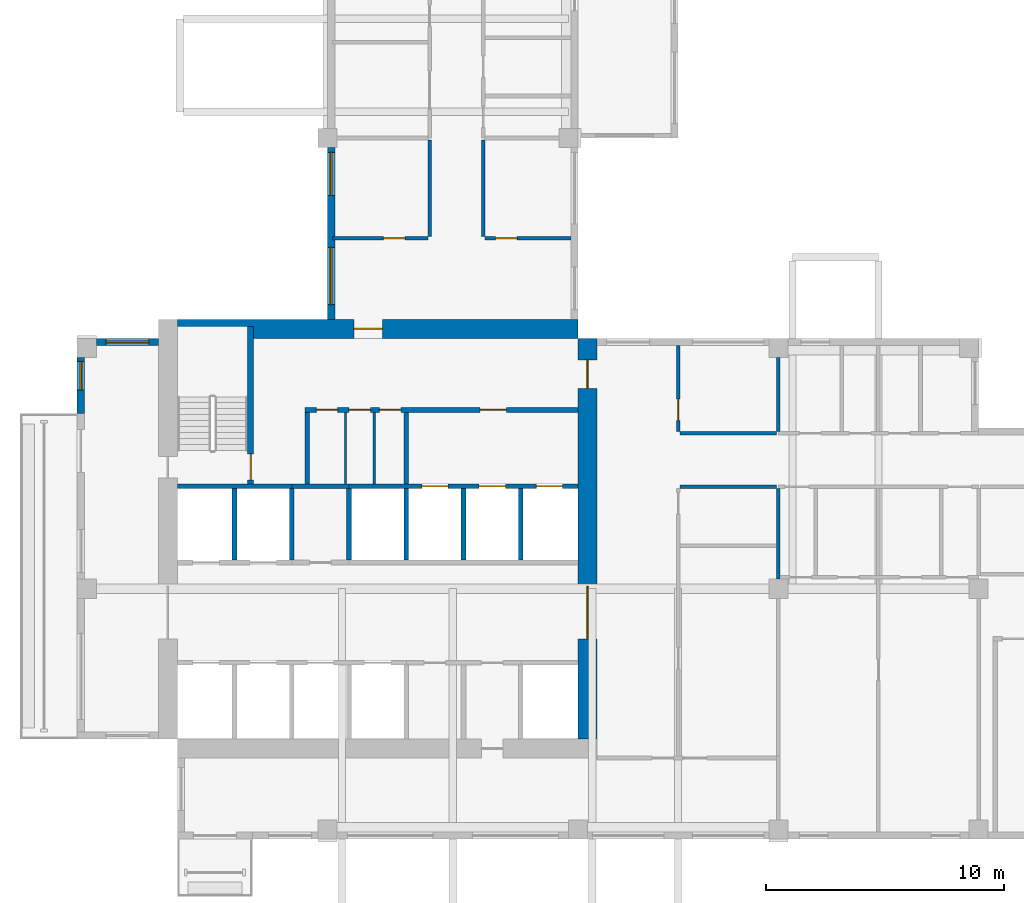
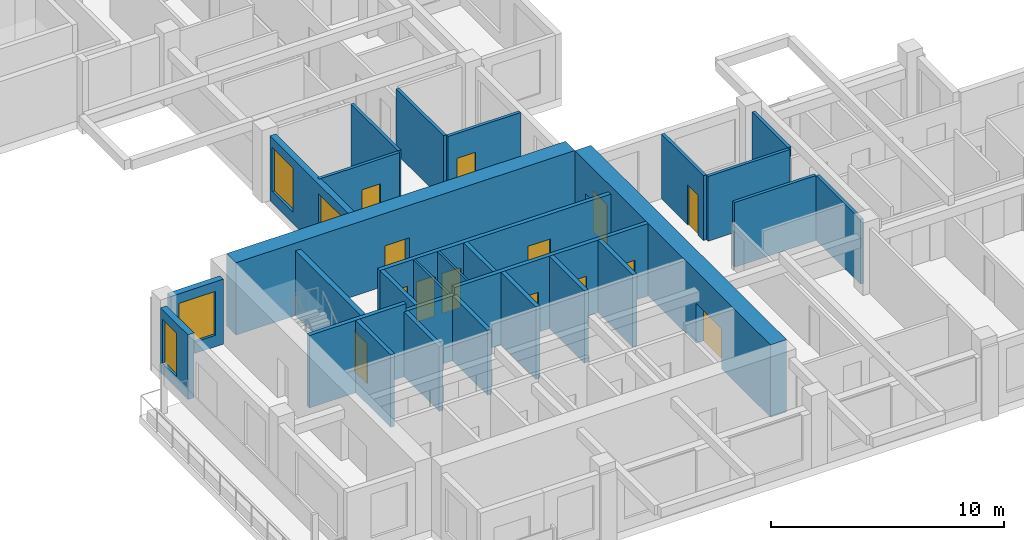
# One storey, part 3 of 12: 29 walls, 14 doors, 4 windows, 18 openings.
"""IFC4 building model written with IfcOpenShell, lengths in metres."""

from ifc_helpers import new_model, si_unit, direction, frame, frame_2d, origin, place, context, subcontext, project, spatial, rectangle, extrude, source, transform, mapped, material, layer, layer_set, type_object, element, fill, save


model = new_model("IFC4")

# Units and contexts
model_context = context("Model", 3, precision=1e-05, world=origin(), true_north=direction((0.0, 1.0)))
body_context = subcontext(model_context, "Body", "Model", "MODEL_VIEW")
ifc_project = project(units=[si_unit("LENGTHUNIT", "METRE"), si_unit("AREAUNIT", "SQUARE_METRE"), si_unit("VOLUMEUNIT", "CUBIC_METRE"), si_unit("PLANEANGLEUNIT", "RADIAN"), si_unit("MASSUNIT", "GRAM", prefix="KILO")], contexts=[model_context])

# Site, building, storey
site_placement = place(None, origin())
site = spatial("IfcSite", under=ifc_project, at=site_placement, CompositionType="ELEMENT")
building_placement = place(site_placement, origin())
building = spatial("IfcBuilding", under=site, at=building_placement, Name="Aurelian Terraces", CompositionType="ELEMENT")
storey_placement = place(building_placement, frame((0.0, 0.0, 238.6)))
storey = spatial("IfcBuildingStorey", under=building, at=storey_placement, Name="L54", CompositionType="ELEMENT", Elevation=238.6)

# Wall
ifc_material_1 = material(Name="Gypsum board on steel studs", Category="steel")
ifc_layer_1 = layer(ifc_material_1, 0.15)
ifc_layer_set_1 = layer_set([ifc_layer_1], Name="Partition 150")
wall_type_1 = type_object("IfcWallType", Name="Partition 150", PredefinedType="PARTITIONING", material=ifc_layer_set_1)
wall_1_placement = place(storey_placement, frame((29.4, 10.899, 0.0), z_axis=(0.0, 0.0, 1.0), x_axis=(0.0, 1.0, 0.0)))
element("IfcWall", 1, at=wall_1_placement, inside=storey, type_object=wall_type_1, Name="Partition", PredefinedType="PARTITIONING", context=body_context, shape_type="SweptSolid", body=[
    extrude(rectangle(XDim=3.801, YDim=0.15, at=frame_2d((1.9005, 0.0))), origin(), (0.0, 0.0, 1.0), 3.4),
])

# Wall, openings, doors
ifc_material_2 = material(Name="Concrete fc' 70 MPa", Category="concrete")
ifc_layer_2 = layer(ifc_material_2, 0.8)
ifc_layer_set_2 = layer_set([ifc_layer_2], Name="CORE WALL 800 FC70")
wall_type_2 = type_object("IfcWallType", Name="CORE WALL 800 FC70", PredefinedType="SHEAR", material=ifc_layer_set_2)
shared_shape_1 = source(origin(), body_context, "Body", "SweptSolid", [
    extrude(rectangle(XDim=16.8, YDim=0.8, at=frame_2d((8.4, 0.0))), origin(), (0.0, 0.0, 1.0), 3.8),
])
wall_2_placement = place(storey_placement, frame((21.4, 4.2, 0.0), z_axis=(0.0, 0.0, 1.0), x_axis=(0.0, 1.0, 0.0)))
wall_2 = element("IfcWall", 2, at=wall_2_placement, inside=storey, type_object=wall_type_2, Name="Core wall E L54", PredefinedType="SHEAR", context=body_context, shape_type="MappedRepresentation", body=[
    mapped(shared_shape_1, transform((0.0, 0.0, 0.0), scale=1.0)),
])
shared_shape_2 = source(origin(), body_context, "Body", "SweptSolid", [
    extrude(rectangle(XDim=2.2, YDim=2.1, at=frame_2d((1.1, 1.05))), frame((0.0, 0.41, 0.0), z_axis=(0.0, -1.0, 0.0), x_axis=(1.0, 0.0, 0.0)), (0.0, 0.0, 1.0), 0.82),
])
opening_1_placement = place(wall_2_placement, frame((4.2, 0.0, 0.0)))
opening_1 = element("IfcOpeningElement", 3, at=opening_1_placement, cuts=wall_2, Name="Opening 65723", PredefinedType="OPENING", context=body_context, shape_type="MappedRepresentation", body=[
    mapped(shared_shape_2, transform((0.0, 0.0, 0.0), scale=1.0)),
])
shared_shape_3 = source(origin(), body_context, "Body", "SweptSolid", [
    extrude(rectangle(XDim=1.2, YDim=2.1, at=frame_2d((0.6, 1.05))), frame((0.0, 0.41, 0.0), z_axis=(0.0, -1.0, 0.0), x_axis=(1.0, 0.0, 0.0)), (0.0, 0.0, 1.0), 0.82),
])
opening_2_placement = place(wall_2_placement, frame((14.7, 0.0, 0.0)))
opening_2 = element("IfcOpeningElement", 4, at=opening_2_placement, cuts=wall_2, Name="Opening 65726", PredefinedType="OPENING", context=body_context, shape_type="MappedRepresentation", body=[
    mapped(shared_shape_3, transform((0.0, 0.0, 0.0), scale=1.0)),
])
ifc_material_3 = material(Name="Steel door leaf", Category="steel")
door_type_1 = type_object("IfcDoorType", Name="Core fire door 1200x2100", OperationType="SINGLE_SWING_LEFT", PredefinedType="DOOR", material=ifc_material_3)
shared_shape_4 = source(origin(), body_context, "Body", "SweptSolid", [
    extrude(rectangle(XDim=1.2, YDim=2.1, at=frame_2d((0.6, 1.05))), frame((0.0, 0.025, 0.0), z_axis=(0.0, -1.0, 0.0), x_axis=(1.0, 0.0, 0.0)), (0.0, 0.0, 1.0), 0.05),
])
door_1_placement = place(opening_2_placement, origin())
door_1 = element("IfcDoor", 5, at=door_1_placement, inside=storey, type_object=door_type_1, Name="Core door 65726", OperationType="SINGLE_SWING_LEFT", OverallHeight=2.1, OverallWidth=1.2, PredefinedType="DOOR", context=body_context, shape_type="MappedRepresentation", body=[
    mapped(shared_shape_4, transform((0.0, 0.0, 0.0), scale=1.0)),
])
fill(opening_2, door_1)
door_type_2 = type_object("IfcDoorType", Name="Core double door 2200x2100", OperationType="DOUBLE_DOOR_SINGLE_SWING", PredefinedType="DOOR", material=ifc_material_3)
shared_shape_5 = source(origin(), body_context, "Body", "SweptSolid", [
    extrude(rectangle(XDim=2.2, YDim=2.1, at=frame_2d((1.1, 1.05))), frame((0.0, 0.025, 0.0), z_axis=(0.0, -1.0, 0.0), x_axis=(1.0, 0.0, 0.0)), (0.0, 0.0, 1.0), 0.05),
])
door_2_placement = place(opening_1_placement, origin())
door_2 = element("IfcDoor", 6, at=door_2_placement, inside=storey, type_object=door_type_2, Name="Core door 65723", OperationType="DOUBLE_DOOR_SINGLE_SWING", OverallHeight=2.1, OverallWidth=2.2, PredefinedType="DOOR", context=body_context, shape_type="MappedRepresentation", body=[
    mapped(shared_shape_5, transform((0.0, 0.0, 0.0), scale=1.0)),
])
fill(opening_1, door_2)

# Wall, opening, door
wall_3_placement = place(storey_placement, frame((4.2, 21.4, 0.0), z_axis=(0.0, 0.0, 1.0), x_axis=(1.0, 0.0, 0.0)))
wall_3 = element("IfcWall", 7, at=wall_3_placement, inside=storey, type_object=wall_type_2, Name="Core wall N L54", PredefinedType="SHEAR", context=body_context, shape_type="MappedRepresentation", body=[
    mapped(shared_shape_1, transform((0.0, 0.0, 0.0), scale=1.0)),
])
opening_3_placement = place(wall_3_placement, frame((7.4, 0.0, 0.0)))
opening_3 = element("IfcOpeningElement", 8, at=opening_3_placement, cuts=wall_3, Name="Opening 65725", PredefinedType="OPENING", context=body_context, shape_type="MappedRepresentation", body=[
    mapped(shared_shape_3, transform((0.0, 0.0, 0.0), scale=1.0)),
])
door_type_3 = type_object("IfcDoorType", Name="Core fire door 1200x2100 right", OperationType="SINGLE_SWING_RIGHT", PredefinedType="DOOR", material=ifc_material_3)
door_3_placement = place(opening_3_placement, origin())
door_3 = element("IfcDoor", 9, at=door_3_placement, inside=storey, type_object=door_type_3, Name="Core door 65725", OperationType="SINGLE_SWING_RIGHT", OverallHeight=2.1, OverallWidth=1.2, PredefinedType="DOOR", context=body_context, shape_type="MappedRepresentation", body=[
    mapped(shared_shape_4, transform((0.0, 0.0, 0.0), scale=1.0)),
])
fill(opening_3, door_3)

# Wall, openings, windows
ifc_material_4 = material(Name="Terracotta rainscreen cladding", Category="masonry")
ifc_layer_3 = layer(ifc_material_4, 0.3)
ifc_layer_set_3 = layer_set([ifc_layer_3], Name="EW-300")
wall_type_3 = type_object("IfcWallType", Name="EW-300", PredefinedType="STANDARD", material=ifc_layer_set_3)
shared_shape_6 = source(origin(), body_context, "Body", "SweptSolid", [
    extrude(rectangle(XDim=7.2, YDim=0.3, at=frame_2d((3.6, 0.0))), origin(), (0.0, 0.0, 1.0), 3.4),
])
wall_4_placement = place(storey_placement, frame((10.65, 29.0, 0.0), z_axis=(0.0, 0.0, 1.0), x_axis=(0.0, -1.0, 0.0)))
wall_4 = element("IfcWall", 10, at=wall_4_placement, inside=storey, type_object=wall_type_3, Name="External wall L54 F18.33", PredefinedType="STANDARD", context=body_context, shape_type="MappedRepresentation", body=[
    mapped(shared_shape_6, transform((0.0, 0.0, 0.0), scale=1.0)),
])
shared_shape_7 = source(origin(), body_context, "Body", "SweptSolid", [
    extrude(rectangle(XDim=1.8, YDim=2.3, at=frame_2d((0.9, 1.15))), frame((0.0, 0.16, 0.0), z_axis=(0.0, -1.0, 0.0), x_axis=(1.0, 0.0, 0.0)), (0.0, 0.0, 1.0), 0.32),
])
opening_4_placement = place(wall_4_placement, frame((0.2, 0.0, 0.6)))
opening_4 = element("IfcOpeningElement", 11, at=opening_4_placement, cuts=wall_4, Name="Opening W1823", PredefinedType="OPENING", context=body_context, shape_type="MappedRepresentation", body=[
    mapped(shared_shape_7, transform((0.0, 0.0, 0.0), scale=1.0)),
])
shared_shape_8 = source(origin(), body_context, "Body", "SweptSolid", [
    extrude(rectangle(XDim=2.4, YDim=2.3, at=frame_2d((1.2, 1.15))), frame((0.0, 0.16, 0.0), z_axis=(0.0, -1.0, 0.0), x_axis=(1.0, 0.0, 0.0)), (0.0, 0.0, 1.0), 0.32),
])
opening_5_placement = place(wall_4_placement, frame((4.1875, 0.0, 0.6)))
opening_5 = element("IfcOpeningElement", 12, at=opening_5_placement, cuts=wall_4, Name="Opening W2423", PredefinedType="OPENING", context=body_context, shape_type="MappedRepresentation", body=[
    mapped(shared_shape_8, transform((0.0, 0.0, 0.0), scale=1.0)),
])
ifc_material_5 = material(Name="Clear glazing", Category="glass")
window_type_1 = type_object("IfcWindowType", Name="W-1800x2300", PartitioningType="SINGLE_PANEL", PredefinedType="WINDOW", material=ifc_material_5)
shared_shape_9 = source(origin(), body_context, "Body", "SweptSolid", [
    extrude(rectangle(XDim=1.8, YDim=2.3, at=frame_2d((0.9, 1.15))), frame((0.0, 0.03, 0.0), z_axis=(0.0, -1.0, 0.0), x_axis=(1.0, 0.0, 0.0)), (0.0, 0.0, 1.0), 0.06),
])
window_1_placement = place(opening_4_placement, origin())
window_1 = element("IfcWindow", 13, at=window_1_placement, inside=storey, type_object=window_type_1, Name="Window L54 L54-F18-33-2", OverallHeight=2.3, OverallWidth=1.8, PartitioningType="SINGLE_PANEL", PredefinedType="WINDOW", context=body_context, shape_type="MappedRepresentation", body=[
    mapped(shared_shape_9, transform((0.0, 0.0, 0.0), scale=1.0)),
])
fill(opening_4, window_1)
window_type_2 = type_object("IfcWindowType", Name="W-2400x2300", PartitioningType="SINGLE_PANEL", PredefinedType="WINDOW", material=ifc_material_5)
shared_shape_10 = source(origin(), body_context, "Body", "SweptSolid", [
    extrude(rectangle(XDim=2.4, YDim=2.3, at=frame_2d((1.2, 1.15))), frame((0.0, 0.03, 0.0), z_axis=(0.0, -1.0, 0.0), x_axis=(1.0, 0.0, 0.0)), (0.0, 0.0, 1.0), 0.06),
])
window_2_placement = place(opening_5_placement, origin())
window_2 = element("IfcWindow", 14, at=window_2_placement, inside=storey, type_object=window_type_2, Name="Window L54 L54-F18-33-3", OverallHeight=2.3, OverallWidth=2.4, PartitioningType="SINGLE_PANEL", PredefinedType="WINDOW", context=body_context, shape_type="MappedRepresentation", body=[
    mapped(shared_shape_10, transform((0.0, 0.0, 0.0), scale=1.0)),
])
fill(opening_5, window_2)

# Wall, opening, window
shared_shape_11 = source(origin(), body_context, "Body", "SweptSolid", [
    extrude(rectangle(XDim=2.6, YDim=0.3, at=frame_2d((1.3, 0.0))), origin(), (0.0, 0.0, 1.0), 3.4),
])
wall_5_placement = place(storey_placement, frame((3.4, 20.85, 0.0), z_axis=(0.0, 0.0, 1.0), x_axis=(-1.0, 0.0, 0.0)))
wall_5 = element("IfcWall", 15, at=wall_5_placement, inside=storey, type_object=wall_type_3, Name="External wall L54 F21.36", PredefinedType="STANDARD", context=body_context, shape_type="MappedRepresentation", body=[
    mapped(shared_shape_11, transform((0.0, 0.0, 0.0), scale=1.0)),
])
opening_6_placement = place(wall_5_placement, frame((0.4, 0.0, 0.6)))
opening_6 = element("IfcOpeningElement", 16, at=opening_6_placement, cuts=wall_5, Name="Opening W1823", PredefinedType="OPENING", context=body_context, shape_type="MappedRepresentation", body=[
    mapped(shared_shape_7, transform((0.0, 0.0, 0.0), scale=1.0)),
])
window_3_placement = place(opening_6_placement, origin())
window_3 = element("IfcWindow", 17, at=window_3_placement, inside=storey, type_object=window_type_1, Name="Window L54 L54-F21-36-0", OverallHeight=2.3, OverallWidth=1.8, PartitioningType="SINGLE_PANEL", PredefinedType="WINDOW", context=body_context, shape_type="MappedRepresentation", body=[
    mapped(shared_shape_9, transform((0.0, 0.0, 0.0), scale=1.0)),
])
fill(opening_6, window_3)

shared_shape_12 = source(origin(), body_context, "Body", "SweptSolid", [
    extrude(rectangle(XDim=2.35, YDim=0.3, at=frame_2d((1.175, 0.0))), origin(), (0.0, 0.0, 1.0), 3.4),
])
wall_6_placement = place(storey_placement, frame((0.15, 20.2, 0.0), z_axis=(0.0, 0.0, 1.0), x_axis=(0.0, -1.0, 0.0)))
wall_6 = element("IfcWall", 18, at=wall_6_placement, inside=storey, type_object=wall_type_3, Name="External wall L54 F22.37", PredefinedType="STANDARD", context=body_context, shape_type="MappedRepresentation", body=[
    mapped(shared_shape_12, transform((0.0, 0.0, 0.0), scale=1.0)),
])
shared_shape_13 = source(origin(), body_context, "Body", "SweptSolid", [
    extrude(rectangle(XDim=1.2, YDim=2.3, at=frame_2d((0.6, 1.15))), frame((0.0, 0.16, 0.0), z_axis=(0.0, -1.0, 0.0), x_axis=(1.0, 0.0, 0.0)), (0.0, 0.0, 1.0), 0.32),
])
opening_7_placement = place(wall_6_placement, frame((0.175, 0.0, 0.6)))
opening_7 = element("IfcOpeningElement", 19, at=opening_7_placement, cuts=wall_6, Name="Opening W1223", PredefinedType="OPENING", context=body_context, shape_type="MappedRepresentation", body=[
    mapped(shared_shape_13, transform((0.0, 0.0, 0.0), scale=1.0)),
])
window_type_3 = type_object("IfcWindowType", Name="W-1200x2300", PartitioningType="SINGLE_PANEL", PredefinedType="WINDOW", material=ifc_material_5)
shared_shape_14 = source(origin(), body_context, "Body", "SweptSolid", [
    extrude(rectangle(XDim=1.2, YDim=2.3, at=frame_2d((0.6, 1.15))), frame((0.0, 0.03, 0.0), z_axis=(0.0, -1.0, 0.0), x_axis=(1.0, 0.0, 0.0)), (0.0, 0.0, 1.0), 0.06),
])
window_4_placement = place(opening_7_placement, origin())
window_4 = element("IfcWindow", 20, at=window_4_placement, inside=storey, type_object=window_type_3, Name="Window L54 L54-F22-37-0", OverallHeight=2.3, OverallWidth=1.2, PartitioningType="SINGLE_PANEL", PredefinedType="WINDOW", context=body_context, shape_type="MappedRepresentation", body=[
    mapped(shared_shape_14, transform((0.0, 0.0, 0.0), scale=1.0)),
])
fill(opening_7, window_4)

# Walls
ifc_material_6 = material(Name="Concrete fc' 40 MPa", Category="concrete")
ifc_layer_4 = layer(ifc_material_6, 0.2)
ifc_layer_set_4 = layer_set([ifc_layer_4], Name="Lift shaft wall 200")
wall_type_4 = type_object("IfcWallType", Name="Lift shaft wall 200", PredefinedType="SOLIDWALL", material=ifc_layer_set_4)
shared_shape_15 = source(origin(), body_context, "Body", "SweptSolid", [
    extrude(rectangle(XDim=3.0, YDim=0.2, at=frame_2d((1.5, 0.0))), origin(), (0.0, 0.0, 1.0), 3.4),
])
for number, where, z_axis, x_axis, name in (
    (21, (9.0, 11.7, 0.0), (0.0, 0.0, 1.0), (0.0, 1.0, 0.0), "L54 core wall CD-B2"),
    (22, (11.4, 11.7, 0.0), (0.0, 0.0, 1.0), (0.0, 1.0, 0.0), "L54 core wall CD-B3"),
):
    element("IfcWall", number, at=place(storey_placement, frame(where, z_axis=z_axis, x_axis=x_axis)), inside=storey, type_object=wall_type_4, Name=name, PredefinedType="SOLIDWALL", context=body_context, shape_type="MappedRepresentation", body=[
        mapped(shared_shape_15, transform((0.0, 0.0, 0.0), scale=1.0)),
    ])
shared_shape_16 = source(origin(), body_context, "Body", "SweptSolid", [
    extrude(rectangle(XDim=3.0, YDim=0.2, at=frame_2d((1.5, 0.0))), origin(), (0.0, 0.0, 1.0), 3.8),
])
for number, where, z_axis, x_axis, name in (
    (23, (6.6, 11.7, 0.0), (0.0, 0.0, 1.0), (0.0, 1.0, 0.0), "L54 core wall CD-B1"),
    (24, (13.8, 11.7, 0.0), (0.0, 0.0, 1.0), (0.0, 1.0, 0.0), "L54 core wall CD-B4"),
    (25, (16.2, 11.7, 0.0), (0.0, 0.0, 1.0), (0.0, 1.0, 0.0), "L54 core wall CD-B5"),
    (26, (18.6, 11.7, 0.0), (0.0, 0.0, 1.0), (0.0, 1.0, 0.0), "L54 core wall CD-B6"),
):
    element("IfcWall", number, at=place(storey_placement, frame(where, z_axis=z_axis, x_axis=x_axis)), inside=storey, type_object=wall_type_4, Name=name, PredefinedType="SOLIDWALL", context=body_context, shape_type="MappedRepresentation", body=[
        mapped(shared_shape_16, transform((0.0, 0.0, 0.0), scale=1.0)),
    ])

# Wall, openings, doors
shared_shape_17 = source(origin(), body_context, "Body", "SweptSolid", [
    extrude(rectangle(XDim=9.6, YDim=0.2, at=frame_2d((4.8, 0.0))), origin(), (0.0, 0.0, 1.0), 3.8),
])
wall_7_placement = place(storey_placement, frame((11.4, 14.8, 0.0), z_axis=(0.0, 0.0, 1.0), x_axis=(1.0, 0.0, 0.0)))
wall_7 = element("IfcWall", 27, at=wall_7_placement, inside=storey, type_object=wall_type_4, Name="L54 core wall CF-BB3", PredefinedType="SOLIDWALL", context=body_context, shape_type="MappedRepresentation", body=[
    mapped(shared_shape_17, transform((0.0, 0.0, 0.0), scale=1.0)),
])
shared_shape_18 = source(origin(), body_context, "Body", "SweptSolid", [
    extrude(rectangle(XDim=1.1, YDim=2.1, at=frame_2d((0.55, 1.05))), frame((0.0, 0.11, 0.0), z_axis=(0.0, -1.0, 0.0), x_axis=(1.0, 0.0, 0.0)), (0.0, 0.0, 1.0), 0.22),
])
opening_8_placement = place(wall_7_placement, frame((3.05, 0.0, 0.0)))
opening_8 = element("IfcOpeningElement", 28, at=opening_8_placement, cuts=wall_7, Name="Opening 65709", PredefinedType="OPENING", context=body_context, shape_type="MappedRepresentation", body=[
    mapped(shared_shape_18, transform((0.0, 0.0, 0.0), scale=1.0)),
])
opening_9_placement = place(wall_7_placement, frame((5.45, 0.0, 0.0)))
opening_9 = element("IfcOpeningElement", 29, at=opening_9_placement, cuts=wall_7, Name="Opening 65710", PredefinedType="OPENING", context=body_context, shape_type="MappedRepresentation", body=[
    mapped(shared_shape_18, transform((0.0, 0.0, 0.0), scale=1.0)),
])
opening_10_placement = place(wall_7_placement, frame((7.85, 0.0, 0.0)))
opening_10 = element("IfcOpeningElement", 30, at=opening_10_placement, cuts=wall_7, Name="Opening 65711", PredefinedType="OPENING", context=body_context, shape_type="MappedRepresentation", body=[
    mapped(shared_shape_18, transform((0.0, 0.0, 0.0), scale=1.0)),
])
ifc_material_7 = material(Name="Stainless steel", Category="steel")
door_type_4 = type_object("IfcDoorType", Name="Lift landing door 1100x2100", OperationType="SLIDING_TO_LEFT", PredefinedType="DOOR", material=ifc_material_7)
shared_shape_19 = source(origin(), body_context, "Body", "SweptSolid", [
    extrude(rectangle(XDim=1.1, YDim=2.1, at=frame_2d((0.55, 1.05))), frame((0.0, 0.025, 0.0), z_axis=(0.0, -1.0, 0.0), x_axis=(1.0, 0.0, 0.0)), (0.0, 0.0, 1.0), 0.05),
])
door_4_placement = place(opening_8_placement, origin())
door_4 = element("IfcDoor", 31, at=door_4_placement, inside=storey, type_object=door_type_4, Name="Lift landing door F1 L54", OperationType="SLIDING_TO_LEFT", OverallHeight=2.1, OverallWidth=1.1, PredefinedType="DOOR", context=body_context, shape_type="MappedRepresentation", body=[
    mapped(shared_shape_19, transform((0.0, 0.0, 0.0), scale=1.0)),
])
fill(opening_8, door_4)
door_5_placement = place(opening_9_placement, origin())
door_5 = element("IfcDoor", 32, at=door_5_placement, inside=storey, type_object=door_type_4, Name="Lift landing door F2 L54", OperationType="SLIDING_TO_LEFT", OverallHeight=2.1, OverallWidth=1.1, PredefinedType="DOOR", context=body_context, shape_type="MappedRepresentation", body=[
    mapped(shared_shape_19, transform((0.0, 0.0, 0.0), scale=1.0)),
])
fill(opening_9, door_5)
door_6_placement = place(opening_10_placement, origin())
door_6 = element("IfcDoor", 33, at=door_6_placement, inside=storey, type_object=door_type_4, Name="Lift landing door F3 L54", OperationType="SLIDING_TO_LEFT", OverallHeight=2.1, OverallWidth=1.1, PredefinedType="DOOR", context=body_context, shape_type="MappedRepresentation", body=[
    mapped(shared_shape_19, transform((0.0, 0.0, 0.0), scale=1.0)),
])
fill(opening_10, door_6)

# Walls
shared_shape_20 = source(origin(), body_context, "Body", "SweptSolid", [
    extrude(rectangle(XDim=4.8, YDim=0.2, at=frame_2d((2.4, 0.0))), origin(), (0.0, 0.0, 1.0), 3.8),
])
wall_8_placement = place(storey_placement, frame((4.2, 14.8, 0.0), z_axis=(0.0, 0.0, 1.0), x_axis=(1.0, 0.0, 0.0)))
element("IfcWall", 34, at=wall_8_placement, inside=storey, type_object=wall_type_4, Name="L54 core wall CF-BB1", PredefinedType="SOLIDWALL", context=body_context, shape_type="MappedRepresentation", body=[
    mapped(shared_shape_20, transform((0.0, 0.0, 0.0), scale=1.0)),
])
shared_shape_21 = source(origin(), body_context, "Body", "SweptSolid", [
    extrude(rectangle(XDim=2.4, YDim=0.2, at=frame_2d((1.2, 0.0))), origin(), (0.0, 0.0, 1.0), 3.4),
])
wall_9_placement = place(storey_placement, frame((9.0, 14.8, 0.0), z_axis=(0.0, 0.0, 1.0), x_axis=(1.0, 0.0, 0.0)))
element("IfcWall", 35, at=wall_9_placement, inside=storey, type_object=wall_type_4, Name="L54 core wall CF-BB2", PredefinedType="SOLIDWALL", context=body_context, shape_type="MappedRepresentation", body=[
    mapped(shared_shape_21, transform((0.0, 0.0, 0.0), scale=1.0)),
])
ifc_layer_5 = layer(ifc_material_1, 0.2)
ifc_layer_set_5 = layer_set([ifc_layer_5], Name="Core partition 200")
wall_type_5 = type_object("IfcWallType", Name="Core partition 200", PredefinedType="PARTITIONING", material=ifc_layer_set_5)
shared_shape_22 = source(origin(), body_context, "Body", "SweptSolid", [
    extrude(rectangle(XDim=3.0, YDim=0.2, at=frame_2d((1.5, 0.0))), origin(), (0.0, 0.0, 1.0), 3.4),
])
for number, where, z_axis, x_axis, name in (
    (36, (9.65, 14.9, 0.0), (0.0, 0.0, 1.0), (0.0, 1.0, 0.0), "L54 core wall CP-VEST"),
    (37, (13.8, 14.9, 0.0), (0.0, 0.0, 1.0), (0.0, 1.0, 0.0), "L54 core wall CP-FFL"),
):
    element("IfcWall", number, at=place(storey_placement, frame(where, z_axis=z_axis, x_axis=x_axis)), inside=storey, type_object=wall_type_5, Name=name, PredefinedType="PARTITIONING", context=body_context, shape_type="MappedRepresentation", body=[
        mapped(shared_shape_22, transform((0.0, 0.0, 0.0), scale=1.0)),
    ])
ifc_layer_6 = layer(ifc_material_1, 0.1)
ifc_layer_set_6 = layer_set([ifc_layer_6], Name="Core partition 100")
wall_type_6 = type_object("IfcWallType", Name="Core partition 100", PredefinedType="PARTITIONING", material=ifc_layer_set_6)
shared_shape_23 = source(origin(), body_context, "Body", "SweptSolid", [
    extrude(rectangle(XDim=3.0, YDim=0.1, at=frame_2d((1.5, 0.0))), origin(), (0.0, 0.0, 1.0), 3.4),
])
for number, where, z_axis, x_axis, name in (
    (38, (11.25, 14.9, 0.0), (0.0, 0.0, 1.0), (0.0, 1.0, 0.0), "L54 core wall CP-SV1"),
    (39, (12.45, 14.9, 0.0), (0.0, 0.0, 1.0), (0.0, 1.0, 0.0), "L54 core wall CP-SV2"),
):
    element("IfcWall", number, at=place(storey_placement, frame(where, z_axis=z_axis, x_axis=x_axis)), inside=storey, type_object=wall_type_6, Name=name, PredefinedType="PARTITIONING", context=body_context, shape_type="MappedRepresentation", body=[
        mapped(shared_shape_23, transform((0.0, 0.0, 0.0), scale=1.0)),
    ])

# Wall, opening, door
ifc_layer_7 = layer(ifc_material_6, 0.25)
ifc_layer_set_7 = layer_set([ifc_layer_7], Name="Stair enclosure wall 250")
wall_type_7 = type_object("IfcWallType", Name="Stair enclosure wall 250", PredefinedType="SOLIDWALL", material=ifc_layer_set_7)
shared_shape_24 = source(origin(), body_context, "Body", "SweptSolid", [
    extrude(rectangle(XDim=6.6, YDim=0.25, at=frame_2d((3.3, 0.0))), origin(), (0.0, 0.0, 1.0), 3.4),
])
wall_10_placement = place(storey_placement, frame((7.275, 14.9, 0.0), z_axis=(0.0, 0.0, 1.0), x_axis=(0.0, 1.0, 0.0)))
wall_10 = element("IfcWall", 40, at=wall_10_placement, inside=storey, type_object=wall_type_7, Name="L54 core wall ST-S1-E", PredefinedType="SOLIDWALL", context=body_context, shape_type="MappedRepresentation", body=[
    mapped(shared_shape_24, transform((0.0, 0.0, 0.0), scale=1.0)),
])
shared_shape_25 = source(origin(), body_context, "Body", "SweptSolid", [
    extrude(rectangle(XDim=1.1, YDim=2.1, at=frame_2d((0.55, 1.05))), frame((0.0, 0.135, 0.0), z_axis=(0.0, -1.0, 0.0), x_axis=(1.0, 0.0, 0.0)), (0.0, 0.0, 1.0), 0.27),
])
opening_11_placement = place(wall_10_placement, frame((0.15, 0.0, 0.0)))
opening_11 = element("IfcOpeningElement", 41, at=opening_11_placement, cuts=wall_10, Name="Opening 65712", PredefinedType="OPENING", context=body_context, shape_type="MappedRepresentation", body=[
    mapped(shared_shape_25, transform((0.0, 0.0, 0.0), scale=1.0)),
])
door_type_5 = type_object("IfcDoorType", Name="Core fire door 1100x2100 right", OperationType="SINGLE_SWING_RIGHT", PredefinedType="DOOR", material=ifc_material_3)
door_7_placement = place(opening_11_placement, origin())
door_7 = element("IfcDoor", 42, at=door_7_placement, inside=storey, type_object=door_type_5, Name="Stair door 65712", OperationType="SINGLE_SWING_RIGHT", OverallHeight=2.1, OverallWidth=1.1, PredefinedType="DOOR", context=body_context, shape_type="MappedRepresentation", body=[
    mapped(shared_shape_19, transform((0.0, 0.0, 0.0), scale=1.0)),
])
fill(opening_11, door_7)

# Wall, openings, doors
shared_shape_26 = source(origin(), body_context, "Body", "SweptSolid", [
    extrude(rectangle(XDim=11.45, YDim=0.2, at=frame_2d((5.725, 0.0))), origin(), (0.0, 0.0, 1.0), 3.4),
])
wall_11_placement = place(storey_placement, frame((9.55, 18.0, 0.0), z_axis=(0.0, 0.0, 1.0), x_axis=(1.0, 0.0, 0.0)))
wall_11 = element("IfcWall", 43, at=wall_11_placement, inside=storey, type_object=wall_type_5, Name="L54 core wall CP-NORTH", PredefinedType="PARTITIONING", context=body_context, shape_type="MappedRepresentation", body=[
    mapped(shared_shape_26, transform((0.0, 0.0, 0.0), scale=1.0)),
])
shared_shape_27 = source(origin(), body_context, "Body", "SweptSolid", [
    extrude(rectangle(XDim=0.9, YDim=2.1, at=frame_2d((0.45, 1.05))), frame((0.0, 0.11, 0.0), z_axis=(0.0, -1.0, 0.0), x_axis=(1.0, 0.0, 0.0)), (0.0, 0.0, 1.0), 0.22),
])
opening_12_placement = place(wall_11_placement, frame((0.475, 0.0, 0.0)))
opening_12 = element("IfcOpeningElement", 44, at=opening_12_placement, cuts=wall_11, Name="Opening 65713", PredefinedType="OPENING", context=body_context, shape_type="MappedRepresentation", body=[
    mapped(shared_shape_27, transform((0.0, 0.0, 0.0), scale=1.0)),
])
opening_13_placement = place(wall_11_placement, frame((1.85, 0.0, 0.0)))
opening_13 = element("IfcOpeningElement", 45, at=opening_13_placement, cuts=wall_11, Name="Opening 65714", PredefinedType="OPENING", context=body_context, shape_type="MappedRepresentation", body=[
    mapped(shared_shape_27, transform((0.0, 0.0, 0.0), scale=1.0)),
])
opening_14_placement = place(wall_11_placement, frame((3.125, 0.0, 0.0)))
opening_14 = element("IfcOpeningElement", 46, at=opening_14_placement, cuts=wall_11, Name="Opening 65715", PredefinedType="OPENING", context=body_context, shape_type="MappedRepresentation", body=[
    mapped(shared_shape_27, transform((0.0, 0.0, 0.0), scale=1.0)),
])
opening_15_placement = place(wall_11_placement, frame((7.35, 0.0, 0.0)))
opening_15 = element("IfcOpeningElement", 47, at=opening_15_placement, cuts=wall_11, Name="Opening 65716", PredefinedType="OPENING", context=body_context, shape_type="MappedRepresentation", body=[
    mapped(shared_shape_18, transform((0.0, 0.0, 0.0), scale=1.0)),
])
door_type_6 = type_object("IfcDoorType", Name="Core service door 900x2100", OperationType="SINGLE_SWING_LEFT", PredefinedType="DOOR", material=ifc_material_3)
shared_shape_28 = source(origin(), body_context, "Body", "SweptSolid", [
    extrude(rectangle(XDim=0.9, YDim=2.1, at=frame_2d((0.45, 1.05))), frame((0.0, 0.025, 0.0), z_axis=(0.0, -1.0, 0.0), x_axis=(1.0, 0.0, 0.0)), (0.0, 0.0, 1.0), 0.05),
])
door_8_placement = place(opening_12_placement, origin())
door_8 = element("IfcDoor", 48, at=door_8_placement, inside=storey, type_object=door_type_6, Name="Room door 65713", OperationType="SINGLE_SWING_LEFT", OverallHeight=2.1, OverallWidth=0.9, PredefinedType="DOOR", context=body_context, shape_type="MappedRepresentation", body=[
    mapped(shared_shape_28, transform((0.0, 0.0, 0.0), scale=1.0)),
])
fill(opening_12, door_8)
door_type_7 = type_object("IfcDoorType", Name="Core riser door 900x2100 right", OperationType="SINGLE_SWING_RIGHT", PredefinedType="DOOR", material=ifc_material_3)
door_9_placement = place(opening_13_placement, origin())
door_9 = element("IfcDoor", 49, at=door_9_placement, inside=storey, type_object=door_type_7, Name="Room door 65714", OperationType="SINGLE_SWING_RIGHT", OverallHeight=2.1, OverallWidth=0.9, PredefinedType="DOOR", context=body_context, shape_type="MappedRepresentation", body=[
    mapped(shared_shape_28, transform((0.0, 0.0, 0.0), scale=1.0)),
])
fill(opening_13, door_9)
door_10_placement = place(opening_14_placement, origin())
door_10 = element("IfcDoor", 50, at=door_10_placement, inside=storey, type_object=door_type_6, Name="Room door 65715", OperationType="SINGLE_SWING_LEFT", OverallHeight=2.1, OverallWidth=0.9, PredefinedType="DOOR", context=body_context, shape_type="MappedRepresentation", body=[
    mapped(shared_shape_28, transform((0.0, 0.0, 0.0), scale=1.0)),
])
fill(opening_14, door_10)
door_11_placement = place(opening_15_placement, origin())
door_11 = element("IfcDoor", 51, at=door_11_placement, inside=storey, type_object=door_type_5, Name="Ff lobby door 65716", OperationType="SINGLE_SWING_RIGHT", OverallHeight=2.1, OverallWidth=1.1, PredefinedType="DOOR", context=body_context, shape_type="MappedRepresentation", body=[
    mapped(shared_shape_19, transform((0.0, 0.0, 0.0), scale=1.0)),
])
fill(opening_15, door_11)

# Wall, opening, door
shared_shape_29 = source(origin(), body_context, "Body", "SweptSolid", [
    extrude(rectangle(XDim=3.6, YDim=0.15, at=frame_2d((1.8, 0.0))), origin(), (0.0, 0.0, 1.0), 3.4),
])
wall_12_placement = place(storey_placement, frame((25.2, 20.7, 0.0), z_axis=(0.0, 0.0, 1.0), x_axis=(0.0, -1.0, 0.0)))
wall_12 = element("IfcWall", 52, at=wall_12_placement, inside=storey, type_object=wall_type_1, Name="Partition", PredefinedType="PARTITIONING", context=body_context, shape_type="MappedRepresentation", body=[
    mapped(shared_shape_29, transform((0.0, 0.0, 0.0), scale=1.0)),
])
shared_shape_30 = source(origin(), body_context, "Body", "SweptSolid", [
    extrude(rectangle(XDim=0.9, YDim=2.1, at=frame_2d((0.45, 1.05))), frame((0.0, 0.085, 0.0), z_axis=(0.0, -1.0, 0.0), x_axis=(1.0, 0.0, 0.0)), (0.0, 0.0, 1.0), 0.17),
])
opening_16_placement = place(wall_12_placement, frame((2.25, 0.0, 0.0)))
opening_16 = element("IfcOpeningElement", 53, at=opening_16_placement, cuts=wall_12, Name="Opening 754003", PredefinedType="OPENING", context=body_context, shape_type="MappedRepresentation", body=[
    mapped(shared_shape_30, transform((0.0, 0.0, 0.0), scale=1.0)),
])
ifc_material_8 = material(Name="Timber door leaf", Category="wood")
door_type_8 = type_object("IfcDoorType", Name="Room door 900x2100 left", OperationType="SINGLE_SWING_LEFT", PredefinedType="DOOR", material=ifc_material_8)
door_12_placement = place(opening_16_placement, origin())
door_12 = element("IfcDoor", 54, at=door_12_placement, inside=storey, type_object=door_type_8, Name="Door 754003", OperationType="SINGLE_SWING_LEFT", OverallHeight=2.1, OverallWidth=0.9, PredefinedType="DOOR", context=body_context, shape_type="MappedRepresentation", body=[
    mapped(shared_shape_28, transform((0.0, 0.0, 0.0), scale=1.0)),
])
fill(opening_16, door_12)

wall_13_placement = place(storey_placement, frame((17.1, 25.2, 0.0), z_axis=(0.0, 0.0, 1.0), x_axis=(1.0, 0.0, 0.0)))
wall_13 = element("IfcWall", 55, at=wall_13_placement, inside=storey, type_object=wall_type_1, Name="Partition", PredefinedType="PARTITIONING", context=body_context, shape_type="MappedRepresentation", body=[
    mapped(shared_shape_29, transform((0.0, 0.0, 0.0), scale=1.0)),
])
opening_17_placement = place(wall_13_placement, frame((0.45, 0.0, 0.0)))
opening_17 = element("IfcOpeningElement", 56, at=opening_17_placement, cuts=wall_13, Name="Opening 754024", PredefinedType="OPENING", context=body_context, shape_type="MappedRepresentation", body=[
    mapped(shared_shape_30, transform((0.0, 0.0, 0.0), scale=1.0)),
])
door_13_placement = place(opening_17_placement, origin())
door_13 = element("IfcDoor", 57, at=door_13_placement, inside=storey, type_object=door_type_8, Name="Door 754024", OperationType="SINGLE_SWING_LEFT", OverallHeight=2.1, OverallWidth=0.9, PredefinedType="DOOR", context=body_context, shape_type="MappedRepresentation", body=[
    mapped(shared_shape_28, transform((0.0, 0.0, 0.0), scale=1.0)),
])
fill(opening_17, door_13)

shared_shape_31 = source(origin(), body_context, "Body", "SweptSolid", [
    extrude(rectangle(XDim=3.995, YDim=0.15, at=frame_2d((1.9975, 0.0))), origin(), (0.0, 0.0, 1.0), 3.4),
])
wall_14_placement = place(storey_placement, frame((10.705, 25.2, 0.0), z_axis=(0.0, 0.0, 1.0), x_axis=(1.0, 0.0, 0.0)))
wall_14 = element("IfcWall", 58, at=wall_14_placement, inside=storey, type_object=wall_type_1, Name="Partition", PredefinedType="PARTITIONING", context=body_context, shape_type="MappedRepresentation", body=[
    mapped(shared_shape_31, transform((0.0, 0.0, 0.0), scale=1.0)),
])
opening_18_placement = place(wall_14_placement, frame((2.1325, 0.0, 0.0)))
opening_18 = element("IfcOpeningElement", 59, at=opening_18_placement, cuts=wall_14, Name="Opening 754023", PredefinedType="OPENING", context=body_context, shape_type="MappedRepresentation", body=[
    mapped(shared_shape_30, transform((0.0, 0.0, 0.0), scale=1.0)),
])
door_type_9 = type_object("IfcDoorType", Name="Room door 900x2100 right", OperationType="SINGLE_SWING_RIGHT", PredefinedType="DOOR", material=ifc_material_8)
door_14_placement = place(opening_18_placement, origin())
door_14 = element("IfcDoor", 60, at=door_14_placement, inside=storey, type_object=door_type_9, Name="Door 754023", OperationType="SINGLE_SWING_RIGHT", OverallHeight=2.1, OverallWidth=0.9, PredefinedType="DOOR", context=body_context, shape_type="MappedRepresentation", body=[
    mapped(shared_shape_28, transform((0.0, 0.0, 0.0), scale=1.0)),
])
fill(opening_18, door_14)

# Walls
ifc_layer_8 = layer(ifc_material_1, 0.15)
ifc_layer_set_8 = layer_set([ifc_layer_8], Name="Fire partition 150")
wall_type_8 = type_object("IfcWallType", Name="Fire partition 150", PredefinedType="PARTITIONING", material=ifc_layer_set_8)
shared_shape_32 = source(origin(), body_context, "Body", "SweptSolid", [
    extrude(rectangle(XDim=4.05, YDim=0.15, at=frame_2d((2.025, 0.0))), origin(), (0.0, 0.0, 1.0), 3.4),
])
for number, where, z_axis, x_axis, name in (
    (61, (29.325, 14.775, 0.0), (0.0, 0.0, 1.0), (-1.0, 0.0, 0.0), "Corridor wall"),
    (62, (25.275, 17.025, 0.0), (0.0, 0.0, 1.0), (1.0, 0.0, 0.0), "Corridor wall"),
    (63, (14.775, 25.275, 0.0), (0.0, 0.0, 1.0), (0.0, 1.0, 0.0), "Corridor wall"),
    (64, (17.025, 29.325, 0.0), (0.0, 0.0, 1.0), (0.0, -1.0, 0.0), "Corridor wall"),
):
    element("IfcWall", number, at=place(storey_placement, frame(where, z_axis=z_axis, x_axis=x_axis)), inside=storey, type_object=wall_type_8, Name=name, PredefinedType="PARTITIONING", context=body_context, shape_type="MappedRepresentation", body=[
        mapped(shared_shape_32, transform((0.0, 0.0, 0.0), scale=1.0)),
    ])
shared_shape_33 = source(origin(), body_context, "Body", "SweptSolid", [
    extrude(rectangle(XDim=3.101, YDim=0.15, at=frame_2d((1.5505, 0.0))), origin(), (0.0, 0.0, 1.0), 3.4),
])
wall_15_placement = place(storey_placement, frame((29.4, 17.1, 0.0), z_axis=(0.0, 0.0, 1.0), x_axis=(0.0, 1.0, 0.0)))
element("IfcWall", 65, at=wall_15_placement, inside=storey, type_object=wall_type_1, Name="Partition", PredefinedType="PARTITIONING", context=body_context, shape_type="MappedRepresentation", body=[
    mapped(shared_shape_33, transform((0.0, 0.0, 0.0), scale=1.0)),
])

save(model, "model.ifc")
